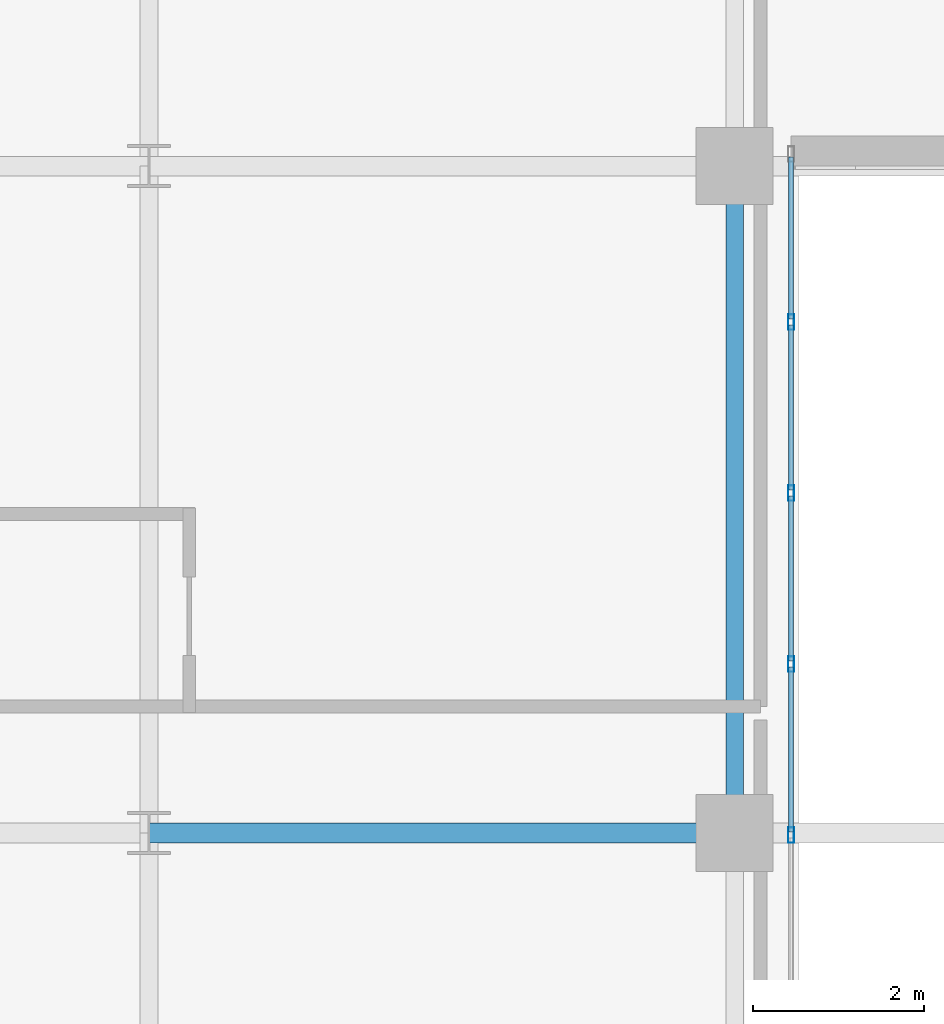
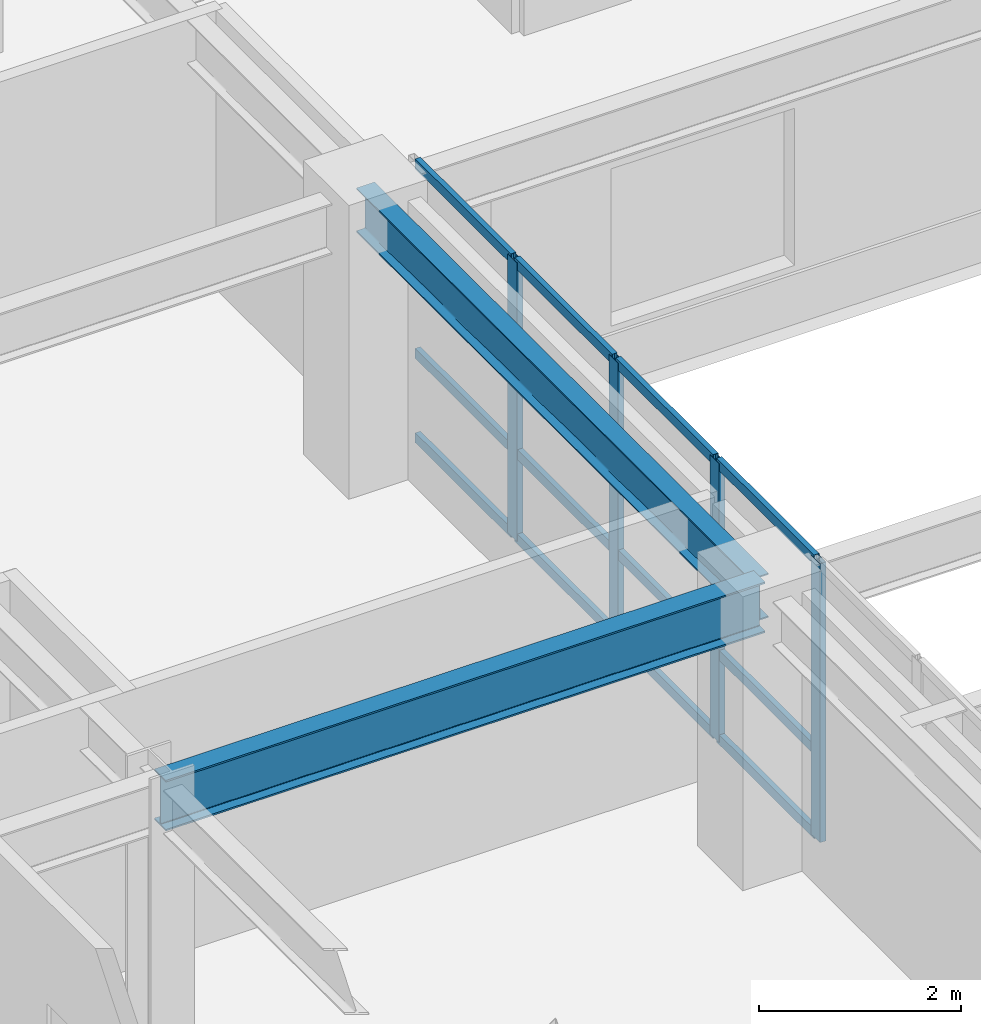
# One storey, part 3 of 24: 16 members, 2 beams, 1 element without a shape of its own.
"""IFC4 building model written with IfcOpenShell, lengths in metres."""

from ifc_helpers import new_model, si_unit, direction, frame, origin, origin_2d, place, context, subcontext, project, spatial, hollow_rectangle, i_section, extrude, source, transform, mapped, material, layer, layer_set, material_profile, profile_set, type_object, type_shapes, element, aggregate, save


model = new_model("IFC4")

# Units and contexts
model_context = context("Model", 3, precision=1e-05, world=origin(), true_north=direction((0.0, 1.0)))
body_context = subcontext(model_context, "Body", "Model", "MODEL_VIEW")
ifc_project = project(units=[si_unit("LENGTHUNIT", "METRE"), si_unit("AREAUNIT", "SQUARE_METRE"), si_unit("VOLUMEUNIT", "CUBIC_METRE"), si_unit("PLANEANGLEUNIT", "RADIAN"), si_unit("MASSUNIT", "GRAM", prefix="KILO")], contexts=[model_context])

# Site, building, storey
site_placement = place(None, origin())
site = spatial("IfcSite", under=ifc_project, at=site_placement, CompositionType="ELEMENT")
building_placement = place(site_placement, origin())
building = spatial("IfcBuilding", under=site, at=building_placement, Name="Tolvann Quenvar Hotel", CompositionType="ELEMENT")
storey_placement = place(building_placement, frame((0.0, 0.0, 118.64990234375)))
storey = spatial("IfcBuildingStorey", under=building, at=storey_placement, Name="L30", CompositionType="ELEMENT", Elevation=118.64990234375)

# Beams
ifc_material_1 = material(Name="Steel Grade 350", Category="steel")
ifc_material_profile_1 = material_profile(ifc_material_1, i_section(OverallWidth=0.22900390625, OverallDepth=0.612060546875, WebThickness=0.011962890625, FlangeThickness=0.01953125, FilletRadius=0.013916015625, at=origin_2d()), Name="610UB125")
ifc_profile_set_1 = profile_set([ifc_material_profile_1], Name="Steel Grade 350")
beam_type_1 = type_object("IfcBeamType", Name="BM_GIRD_610UB125", PredefinedType="BEAM", material=ifc_profile_set_1)
shared_shape_1 = source(origin(), body_context, "Body", "SweptSolid", [
    extrude(i_section(OverallWidth=0.22900390625, OverallDepth=0.612060546875, WebThickness=0.011962890625, FlangeThickness=0.01953125, FilletRadius=0.013916015625, at=origin_2d()), origin(), (0.0, 0.0, 1.0), 6.85009765625),
])
type_shapes(beam_type_1, [shared_shape_1])
beam_1_placement = place(storey_placement, frame((15.199951171875, 8.199951171875, 3.064208984375), z_axis=(1.0, 0.0, 0.0), x_axis=(0.0, 1.0, 0.0)))
element("IfcBeam", 1, at=beam_1_placement, inside=storey, type_object=beam_type_1, Name="BM-L30-EW-3-D3-E3", PredefinedType="BEAM", context=body_context, shape_type="MappedRepresentation", body=[
    mapped(shared_shape_1, transform((0.0, 0.0, 0.0), x_axis=(1.0, 0.0, 0.0), y_axis=(0.0, 1.0, 0.0), z_axis=(0.0, 0.0, 1.0), scale=1.0)),
])
ifc_material_profile_2 = material_profile(ifc_material_1, i_section(OverallWidth=0.208984375, OverallDepth=0.532958984375, WebThickness=0.01025390625, FlangeThickness=0.015625, FilletRadius=0.013916015625, at=origin_2d()), Name="530UB92")
ifc_profile_set_2 = profile_set([ifc_material_profile_2], Name="Steel Grade 350")
beam_type_2 = type_object("IfcBeamType", Name="BM_GIRD_530UB92", PredefinedType="BEAM", material=ifc_profile_set_2)
shared_shape_2 = source(origin(), body_context, "Body", "SweptSolid", [
    extrude(i_section(OverallWidth=0.208984375, OverallDepth=0.532958984375, WebThickness=0.01025390625, FlangeThickness=0.015625, FilletRadius=0.013916015625, at=origin_2d()), origin(), (0.0, 0.0, 1.0), 7.800048828125),
])
type_shapes(beam_type_2, [shared_shape_2])
beam_2_placement = place(storey_placement, frame((22.050048828125, 8.199951171875, 3.103515625), z_axis=(0.0, 1.0, 0.0), x_axis=(-1.0, 0.0, 0.0)))
element("IfcBeam", 2, at=beam_2_placement, inside=storey, type_object=beam_type_2, Name="BM-L30-NS-E3-E4", PredefinedType="BEAM", context=body_context, shape_type="MappedRepresentation", body=[
    mapped(shared_shape_2, transform((0.0, 0.0, 0.0), x_axis=(1.0, 0.0, 0.0), y_axis=(0.0, 1.0, 0.0), z_axis=(0.0, 0.0, 1.0), scale=1.0)),
])

# Curtain wall, members
ifc_material_2 = material(Name="Thermally broken anodised architectural aluminium 6063-T6 and laminated low-E glass", Category="aluminium")
ifc_layer = layer(ifc_material_2, 0.179931640625)
ifc_layer_set = layer_set([ifc_layer], Name="Thermally broken anodised architectural aluminium 6063-T6 and laminated low-E glass")
curtain_wall_type = type_object("IfcCurtainWallType", Name="CW_SYS_SLOT_03", PredefinedType="USERDEFINED", material=ifc_layer_set)
curtain_wall_placement = place(storey_placement, origin())
curtain_wall = element("IfcCurtainWall", 3, at=curtain_wall_placement, inside=storey, type_object=curtain_wall_type, Name="Curtain Wall CW-SLOT-03 (CWR-L30-E05)", ObjectType="UNITISED CURTAIN WALL", PredefinedType="USERDEFINED")
ifc_material_3 = material(Name="Anodised architectural aluminium 6063-T6 framing", Category="aluminium")
ifc_material_profile_3 = material_profile(ifc_material_3, hollow_rectangle(XDim=0.070068359375, YDim=0.179931640625, WallThickness=0.00390625, at=origin_2d()), Name="180x70x4RHS")
ifc_profile_set_3 = profile_set([ifc_material_profile_3], Name="Anodised architectural aluminium 6063-T6 framing")
member_type_1 = type_object("IfcMemberType", Name="CW_MULL_180x70", PredefinedType="MULLION", material=ifc_profile_set_3)
shared_shape_3 = source(origin(), body_context, "Body", "SweptSolid", [
    extrude(hollow_rectangle(XDim=0.070068359375, YDim=0.179931640625, WallThickness=0.00390625, at=origin_2d()), origin(), (0.0, 0.0, 1.0), 3.3701171875),
])
type_shapes(member_type_1, [shared_shape_3])
member_1_placement = place(storey_placement, frame((22.7099609375, 8.175048828125, 0.0), z_axis=(0.0, 0.0, 1.0), x_axis=(-1.0, 0.0, 0.0)))
member_1 = element("IfcMember", 4, at=member_1_placement, type_object=member_type_1, Name="CW-SLOT-03 mullion 5", PredefinedType="MULLION", context=body_context, shape_type="MappedRepresentation", body=[
    mapped(shared_shape_3, transform((0.0, 0.0, 0.0), x_axis=(1.0, 0.0, 0.0), y_axis=(0.0, 1.0, 0.0), z_axis=(0.0, 0.0, 1.0), scale=1.0)),
])
member_2_placement = place(storey_placement, frame((22.7099609375, 10.175048828125, 0.0), z_axis=(0.0, 0.0, 1.0), x_axis=(-1.0, 0.0, 0.0)))
member_2 = element("IfcMember", 5, at=member_2_placement, type_object=member_type_1, Name="CW-SLOT-03 mullion 6", PredefinedType="MULLION", context=body_context, shape_type="MappedRepresentation", body=[
    mapped(shared_shape_3, transform((0.0, 0.0, 0.0), x_axis=(1.0, 0.0, 0.0), y_axis=(0.0, 1.0, 0.0), z_axis=(0.0, 0.0, 1.0), scale=1.0)),
])
member_3_placement = place(storey_placement, frame((22.7099609375, 12.175048828125, 0.0), z_axis=(0.0, 0.0, 1.0), x_axis=(-1.0, 0.0, 0.0)))
member_3 = element("IfcMember", 6, at=member_3_placement, type_object=member_type_1, Name="CW-SLOT-03 mullion 7", PredefinedType="MULLION", context=body_context, shape_type="MappedRepresentation", body=[
    mapped(shared_shape_3, transform((0.0, 0.0, 0.0), x_axis=(1.0, 0.0, 0.0), y_axis=(0.0, 1.0, 0.0), z_axis=(0.0, 0.0, 1.0), scale=1.0)),
])
member_4_placement = place(storey_placement, frame((22.7099609375, 14.175048828125, 0.0), z_axis=(0.0, 0.0, 1.0), x_axis=(-1.0, 0.0, 0.0)))
member_4 = element("IfcMember", 7, at=member_4_placement, type_object=member_type_1, Name="CW-SLOT-03 mullion 8", PredefinedType="MULLION", context=body_context, shape_type="MappedRepresentation", body=[
    mapped(shared_shape_3, transform((0.0, 0.0, 0.0), x_axis=(1.0, 0.0, 0.0), y_axis=(0.0, 1.0, 0.0), z_axis=(0.0, 0.0, 1.0), scale=1.0)),
])
ifc_material_profile_4 = material_profile(ifc_material_3, hollow_rectangle(XDim=0.06005859375, YDim=0.1201171875, WallThickness=0.00341796875, at=origin_2d()), Name="120x60x3.5RHS")
ifc_profile_set_4 = profile_set([ifc_material_profile_4], Name="Anodised architectural aluminium 6063-T6 framing")
member_type_2 = type_object("IfcMemberType", Name="CW_TRAN_120x60", PredefinedType="USERDEFINED", material=ifc_profile_set_4)
shared_shape_4 = source(origin(), body_context, "Body", "SweptSolid", [
    extrude(hollow_rectangle(XDim=0.06005859375, YDim=0.1201171875, WallThickness=0.00341796875, at=origin_2d()), origin(), (0.0, 0.0, 1.0), 1.929931640625),
])
member_5_placement = place(storey_placement, frame((22.7099609375, 8.2099609375, 0.030029296875), z_axis=(0.0, 1.0, 0.0), x_axis=(-1.0, 0.0, 0.0)))
member_5 = element("IfcMember", 8, at=member_5_placement, type_object=member_type_2, Name="CW-SLOT-03 transom 5.1", ObjectType="TRANSOM", PredefinedType="USERDEFINED", context=body_context, shape_type="MappedRepresentation", body=[
    mapped(shared_shape_4, transform((0.0, 0.0, 0.0), x_axis=(1.0, 0.0, 0.0), y_axis=(0.0, 1.0, 0.0), z_axis=(0.0, 0.0, 1.0), scale=1.0)),
])
member_6_placement = place(storey_placement, frame((22.7099609375, 8.2099609375, 1.050048828125), z_axis=(0.0, 1.0, 0.0), x_axis=(-1.0, 0.0, 0.0)))
member_6 = element("IfcMember", 9, at=member_6_placement, type_object=member_type_2, Name="CW-SLOT-03 transom 5.2", ObjectType="TRANSOM", PredefinedType="USERDEFINED", context=body_context, shape_type="MappedRepresentation", body=[
    mapped(shared_shape_4, transform((0.0, 0.0, 0.0), x_axis=(1.0, 0.0, 0.0), y_axis=(0.0, 1.0, 0.0), z_axis=(0.0, 0.0, 1.0), scale=1.0)),
])
member_7_placement = place(storey_placement, frame((22.7099609375, 8.2099609375, 3.340087890625), z_axis=(0.0, 1.0, 0.0), x_axis=(-1.0, 0.0, 0.0)))
member_7 = element("IfcMember", 10, at=member_7_placement, type_object=member_type_2, Name="CW-SLOT-03 transom 5.3", ObjectType="TRANSOM", PredefinedType="USERDEFINED", context=body_context, shape_type="MappedRepresentation", body=[
    mapped(shared_shape_4, transform((0.0, 0.0, 0.0), x_axis=(1.0, 0.0, 0.0), y_axis=(0.0, 1.0, 0.0), z_axis=(0.0, 0.0, 1.0), scale=1.0)),
])
member_8_placement = place(storey_placement, frame((22.7099609375, 10.2099609375, 0.030029296875), z_axis=(0.0, 1.0, 0.0), x_axis=(-1.0, 0.0, 0.0)))
member_8 = element("IfcMember", 11, at=member_8_placement, type_object=member_type_2, Name="CW-SLOT-03 transom 6.1", ObjectType="TRANSOM", PredefinedType="USERDEFINED", context=body_context, shape_type="MappedRepresentation", body=[
    mapped(shared_shape_4, transform((0.0, 0.0, 0.0), x_axis=(1.0, 0.0, 0.0), y_axis=(0.0, 1.0, 0.0), z_axis=(0.0, 0.0, 1.0), scale=1.0)),
])
member_9_placement = place(storey_placement, frame((22.7099609375, 10.2099609375, 1.050048828125), z_axis=(0.0, 1.0, 0.0), x_axis=(-1.0, 0.0, 0.0)))
member_9 = element("IfcMember", 12, at=member_9_placement, type_object=member_type_2, Name="CW-SLOT-03 transom 6.2", ObjectType="TRANSOM", PredefinedType="USERDEFINED", context=body_context, shape_type="MappedRepresentation", body=[
    mapped(shared_shape_4, transform((0.0, 0.0, 0.0), x_axis=(1.0, 0.0, 0.0), y_axis=(0.0, 1.0, 0.0), z_axis=(0.0, 0.0, 1.0), scale=1.0)),
])
member_10_placement = place(storey_placement, frame((22.7099609375, 10.2099609375, 3.340087890625), z_axis=(0.0, 1.0, 0.0), x_axis=(-1.0, 0.0, 0.0)))
member_10 = element("IfcMember", 13, at=member_10_placement, type_object=member_type_2, Name="CW-SLOT-03 transom 6.3", ObjectType="TRANSOM", PredefinedType="USERDEFINED", context=body_context, shape_type="MappedRepresentation", body=[
    mapped(shared_shape_4, transform((0.0, 0.0, 0.0), x_axis=(1.0, 0.0, 0.0), y_axis=(0.0, 1.0, 0.0), z_axis=(0.0, 0.0, 1.0), scale=1.0)),
])
member_11_placement = place(storey_placement, frame((22.7099609375, 12.2099609375, 0.030029296875), z_axis=(0.0, 1.0, 0.0), x_axis=(-1.0, 0.0, 0.0)))
member_11 = element("IfcMember", 14, at=member_11_placement, type_object=member_type_2, Name="CW-SLOT-03 transom 7.1", ObjectType="TRANSOM", PredefinedType="USERDEFINED", context=body_context, shape_type="MappedRepresentation", body=[
    mapped(shared_shape_4, transform((0.0, 0.0, 0.0), x_axis=(1.0, 0.0, 0.0), y_axis=(0.0, 1.0, 0.0), z_axis=(0.0, 0.0, 1.0), scale=1.0)),
])
member_12_placement = place(storey_placement, frame((22.7099609375, 12.2099609375, 1.050048828125), z_axis=(0.0, 1.0, 0.0), x_axis=(-1.0, 0.0, 0.0)))
member_12 = element("IfcMember", 15, at=member_12_placement, type_object=member_type_2, Name="CW-SLOT-03 transom 7.2", ObjectType="TRANSOM", PredefinedType="USERDEFINED", context=body_context, shape_type="MappedRepresentation", body=[
    mapped(shared_shape_4, transform((0.0, 0.0, 0.0), x_axis=(1.0, 0.0, 0.0), y_axis=(0.0, 1.0, 0.0), z_axis=(0.0, 0.0, 1.0), scale=1.0)),
])
member_13_placement = place(storey_placement, frame((22.7099609375, 12.2099609375, 3.340087890625), z_axis=(0.0, 1.0, 0.0), x_axis=(-1.0, 0.0, 0.0)))
member_13 = element("IfcMember", 16, at=member_13_placement, type_object=member_type_2, Name="CW-SLOT-03 transom 7.3", ObjectType="TRANSOM", PredefinedType="USERDEFINED", context=body_context, shape_type="MappedRepresentation", body=[
    mapped(shared_shape_4, transform((0.0, 0.0, 0.0), x_axis=(1.0, 0.0, 0.0), y_axis=(0.0, 1.0, 0.0), z_axis=(0.0, 0.0, 1.0), scale=1.0)),
])
shared_shape_5 = source(origin(), body_context, "Body", "SweptSolid", [
    extrude(hollow_rectangle(XDim=0.06005859375, YDim=0.1201171875, WallThickness=0.00341796875, at=origin_2d()), origin(), (0.0, 0.0, 1.0), 1.89501953125),
])
type_shapes(member_type_2, [shared_shape_4, shared_shape_5])
member_14_placement = place(storey_placement, frame((22.7099609375, 14.2099609375, 0.030029296875), z_axis=(0.0, 1.0, 0.0), x_axis=(-1.0, 0.0, 0.0)))
member_14 = element("IfcMember", 17, at=member_14_placement, type_object=member_type_2, Name="CW-SLOT-03 transom 8.1", ObjectType="TRANSOM", PredefinedType="USERDEFINED", context=body_context, shape_type="MappedRepresentation", body=[
    mapped(shared_shape_5, transform((0.0, 0.0, 0.0), x_axis=(1.0, 0.0, 0.0), y_axis=(0.0, 1.0, 0.0), z_axis=(0.0, 0.0, 1.0), scale=1.0)),
])
member_15_placement = place(storey_placement, frame((22.7099609375, 14.2099609375, 1.050048828125), z_axis=(0.0, 1.0, 0.0), x_axis=(-1.0, 0.0, 0.0)))
member_15 = element("IfcMember", 18, at=member_15_placement, type_object=member_type_2, Name="CW-SLOT-03 transom 8.2", ObjectType="TRANSOM", PredefinedType="USERDEFINED", context=body_context, shape_type="MappedRepresentation", body=[
    mapped(shared_shape_5, transform((0.0, 0.0, 0.0), x_axis=(1.0, 0.0, 0.0), y_axis=(0.0, 1.0, 0.0), z_axis=(0.0, 0.0, 1.0), scale=1.0)),
])
member_16_placement = place(storey_placement, frame((22.7099609375, 14.2099609375, 3.340087890625), z_axis=(0.0, 1.0, 0.0), x_axis=(-1.0, 0.0, 0.0)))
member_16 = element("IfcMember", 19, at=member_16_placement, type_object=member_type_2, Name="CW-SLOT-03 transom 8.3", ObjectType="TRANSOM", PredefinedType="USERDEFINED", context=body_context, shape_type="MappedRepresentation", body=[
    mapped(shared_shape_5, transform((0.0, 0.0, 0.0), x_axis=(1.0, 0.0, 0.0), y_axis=(0.0, 1.0, 0.0), z_axis=(0.0, 0.0, 1.0), scale=1.0)),
])
aggregate(curtain_wall, [member_1, member_2, member_3, member_4, member_5, member_6, member_7, member_8, member_9, member_10, member_11, member_12, member_13, member_14, member_15, member_16])

save(model, "model.ifc")
